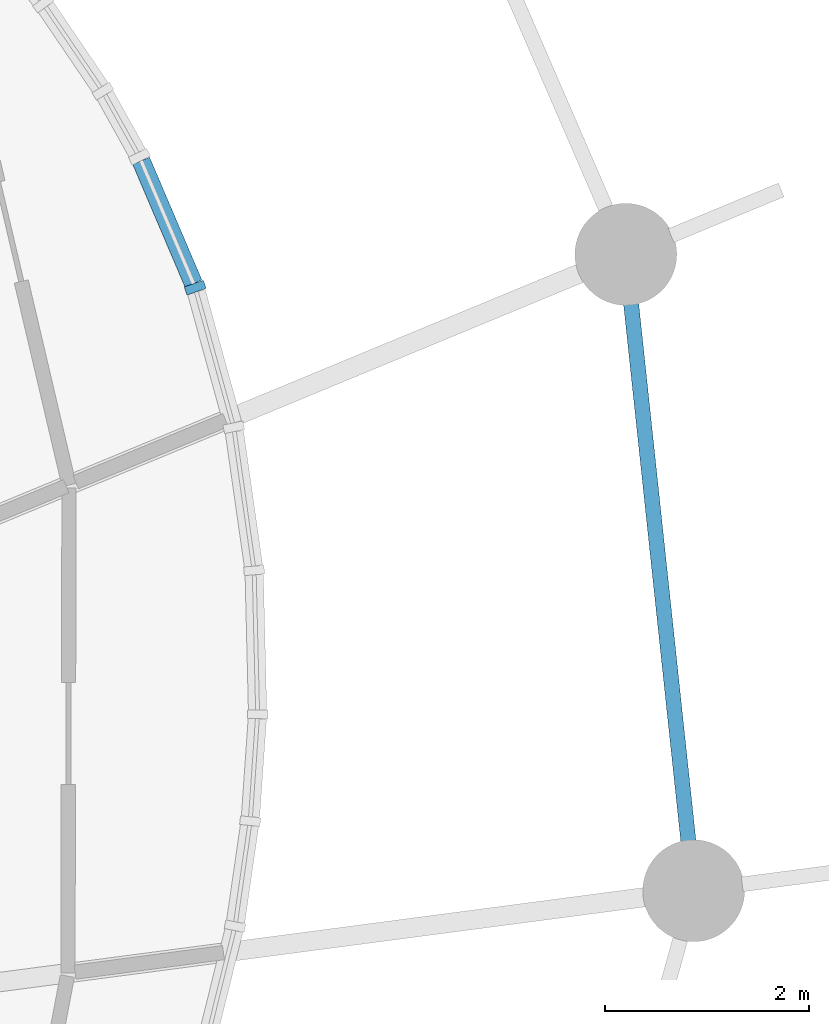
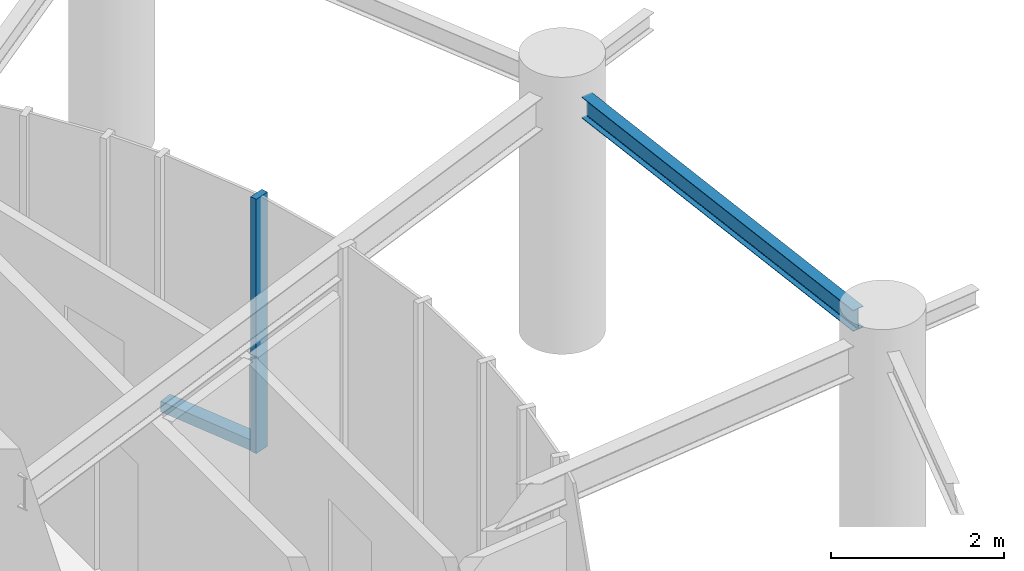
# One storey, part 5 of 19: 2 members, 1 beam, 1 element without a shape of its own.
"""IFC4 building model written with IfcOpenShell, lengths in metres."""

from ifc_helpers import new_model, si_unit, direction, frame, origin, origin_2d, place, context, subcontext, project, spatial, rectangle, i_section, extrude, source, transform, mapped, material, layer, layer_set, material_profile, profile_set, type_object, element, aggregate, save


model = new_model("IFC4")

# Units and contexts
model_context = context("Model", 3, precision=1e-05, world=origin(), true_north=direction((0.0, 1.0)))
body_context = subcontext(model_context, "Body", "Model", "MODEL_VIEW")
ifc_project = project(units=[si_unit("LENGTHUNIT", "METRE"), si_unit("AREAUNIT", "SQUARE_METRE"), si_unit("VOLUMEUNIT", "CUBIC_METRE"), si_unit("PLANEANGLEUNIT", "RADIAN"), si_unit("MASSUNIT", "GRAM", prefix="KILO")], contexts=[model_context])

# Site, building, storey
site_placement = place(None, origin())
site = spatial("IfcSite", under=ifc_project, at=site_placement, CompositionType="ELEMENT")
building_placement = place(site_placement, origin())
building = spatial("IfcBuilding", under=site, at=building_placement, Name="Spindrift Exchange Tower", CompositionType="ELEMENT")
storey_placement = place(building_placement, frame((0.0, 0.0, 137.0)))
storey = spatial("IfcBuildingStorey", under=building, at=storey_placement, Name="L32", CompositionType="ELEMENT", Elevation=137.0)

# Beam
ifc_material_1 = material(Name="Steel Grade 300", Category="steel")
ifc_material_profile_1 = material_profile(ifc_material_1, i_section(OverallWidth=0.14892578125, OverallDepth=0.298095703125, WebThickness=0.005615234375, FlangeThickness=0.008056640625, FilletRadius=0.012939453125, at=origin_2d()), Name="310UB32.0")
ifc_profile_set_1 = profile_set([ifc_material_profile_1], Name="Steel Grade 300")
beam_type = type_object("IfcBeamType", Name="Edge Beam 310UB32.0 Steel Grade 300", PredefinedType="SPANDREL", material=ifc_profile_set_1)
shared_shape_1 = source(origin(), body_context, "Body", "SweptSolid", [
    extrude(i_section(OverallWidth=0.14892578125, OverallDepth=0.298095703125, WebThickness=0.005615234375, FlangeThickness=0.008056640625, FilletRadius=0.012939453125, at=origin_2d()), origin(), (0.0, 0.0, 1.0), 5.31640625),
])
beam_placement = place(storey_placement, frame((75.010986328125, 51.513427734375, 3.430908203125), z_axis=(-0.10598990948, 0.994367205357, 0.0), x_axis=(-0.994367205357, -0.10598990948, 0.0)))
element("IfcBeam", 1, at=beam_placement, inside=storey, type_object=beam_type, Name="L32 edge beam E01", PredefinedType="SPANDREL", context=body_context, shape_type="MappedRepresentation", body=[
    mapped(shared_shape_1, transform((0.0, 0.0, 0.0), scale=1.0)),
])

# Curtain wall, members
ifc_material_2 = material(Name="Fritted laminated glass with bronze frame", Category="glass")
ifc_layer = layer(ifc_material_2, 0.199951171875)
ifc_layer_set = layer_set([ifc_layer], Name="SKY GARDEN BRONZE GLAZED WALL")
curtain_wall_type = type_object("IfcCurtainWallType", Name="SKY GARDEN BRONZE GLAZED WALL", PredefinedType="NOTDEFINED", material=ifc_layer_set)
curtain_wall_placement = place(storey_placement, origin())
curtain_wall = element("IfcCurtainWall", 2, at=curtain_wall_placement, inside=storey, type_object=curtain_wall_type, Name="L32 Sky Garden Bronze Glazed Wall run 8", PredefinedType="NOTDEFINED")
ifc_material_3 = material(Name="Bronze anodised aluminium", Category="aluminium")
ifc_material_profile_2 = material_profile(ifc_material_3, rectangle(XDim=0.0849609375, YDim=0.199951171875, at=origin_2d()), Name="SKY GARDEN BRONZE GLAZED WALL MULLION 85X200")
ifc_profile_set_2 = profile_set([ifc_material_profile_2], Name="Bronze anodised aluminium")
member_type_1 = type_object("IfcMemberType", Name="SKY GARDEN BRONZE GLAZED WALL MULLION 85X200", PredefinedType="MULLION", material=ifc_profile_set_2)
shared_shape_2 = source(origin(), body_context, "Body", "SweptSolid", [
    extrude(rectangle(XDim=0.0849609375, YDim=0.199951171875, at=origin_2d()), origin(), (0.0, 0.0, 1.0), 3.580078125),
])
member_1_placement = place(storey_placement, frame((70.173583984375, 56.9501953125, 0.0), z_axis=(0.0, 0.0, 1.0), x_axis=(-0.329802893697, 0.944049813998, 0.0)))
member_1 = element("IfcMember", 3, at=member_1_placement, type_object=member_type_1, Name="L32 mullion CW-G.43", PredefinedType="MULLION", context=body_context, shape_type="MappedRepresentation", body=[
    mapped(shared_shape_2, transform((0.0, 0.0, 0.0), scale=1.0)),
])
ifc_material_profile_3 = material_profile(ifc_material_3, rectangle(XDim=0.179931640625, YDim=0.14990234375, at=origin_2d()), Name="SKY GARDEN BRONZE GLAZED WALL TRANSOM 180X150")
ifc_profile_set_3 = profile_set([ifc_material_profile_3], Name="Bronze anodised aluminium")
member_type_2 = type_object("IfcMemberType", Name="SKY GARDEN BRONZE GLAZED WALL TRANSOM 180X150", PredefinedType="USERDEFINED", material=ifc_profile_set_3)
shared_shape_3 = source(origin(), body_context, "Body", "SweptSolid", [
    extrude(rectangle(XDim=0.179931640625, YDim=0.14990234375, at=origin_2d()), origin(), (0.0, 0.0, 1.0), 1.310302734375),
])
member_2_placement = place(storey_placement, frame((70.156982421875, 56.989501953125, 0.074951171875), z_axis=(-0.392209587411, 0.919875882684, 0.0), x_axis=(-0.919875882684, -0.392209587411, 0.0)))
member_2 = element("IfcMember", 4, at=member_2_placement, type_object=member_type_2, Name="L32 transom CW-G.43", ObjectType="TRANSOM", PredefinedType="USERDEFINED", context=body_context, shape_type="MappedRepresentation", body=[
    mapped(shared_shape_3, transform((0.0, 0.0, 0.0), scale=1.0)),
])
aggregate(curtain_wall, [member_1, member_2])

save(model, "model.ifc")
